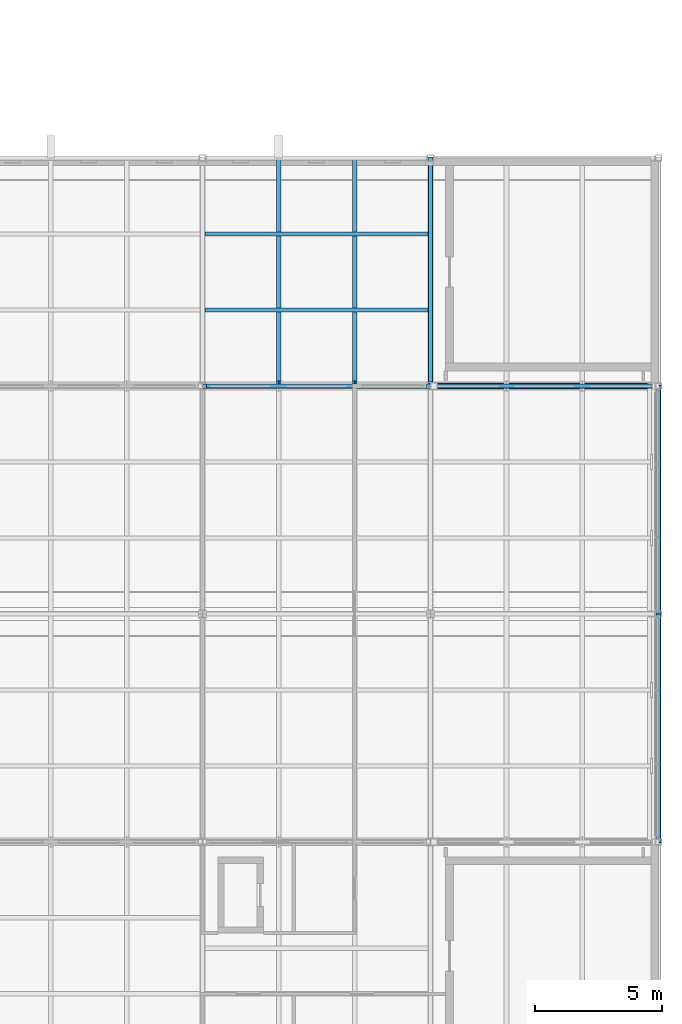
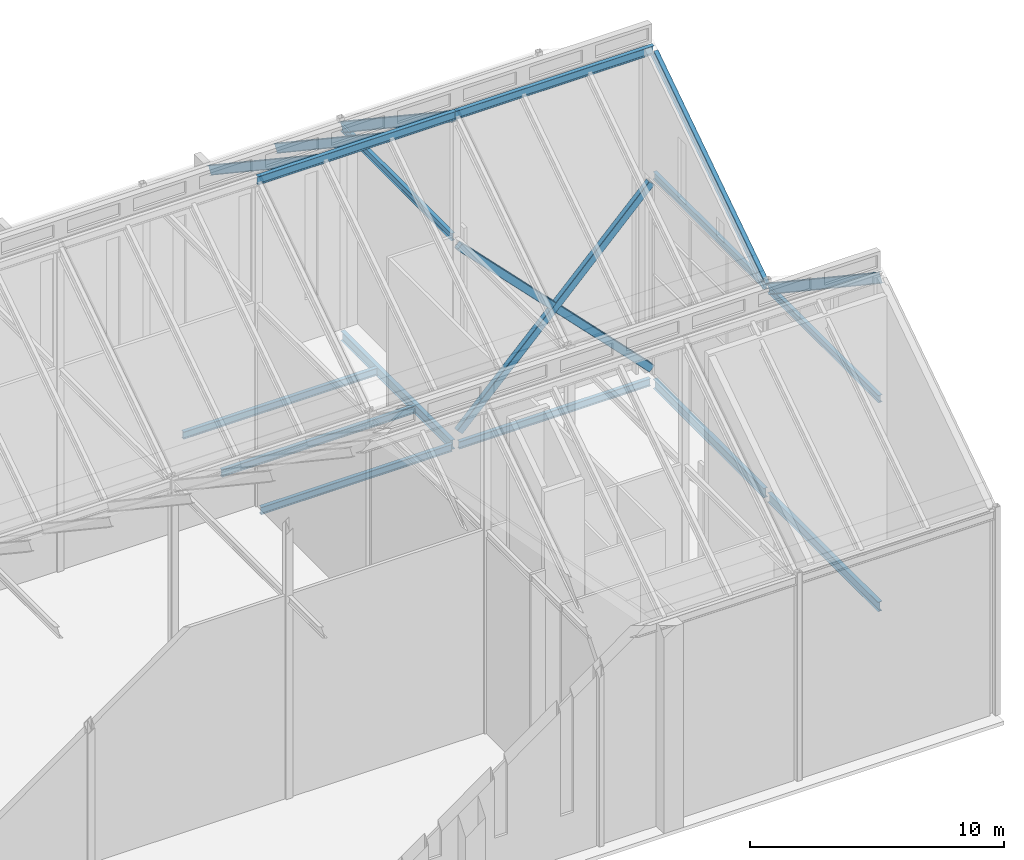
# One storey, part 78 of 111: 12 beams, 7 members.
"""IFC4 building model written with IfcOpenShell, lengths in metres."""

from ifc_helpers import new_model, si_unit, direction, frame, origin, origin_2d, place, context, subcontext, project, spatial, hollow_rectangle, i_section, extrude, material, material_profile, profile_set, type_object, element, save


model = new_model("IFC4")

# Units and contexts
model_context = context("Model", 3, precision=1e-05, world=origin(), true_north=direction((0.0, 1.0)))
body_context = subcontext(model_context, "Body", "Model", "MODEL_VIEW")
ifc_project = project(units=[si_unit("LENGTHUNIT", "METRE"), si_unit("AREAUNIT", "SQUARE_METRE"), si_unit("VOLUMEUNIT", "CUBIC_METRE"), si_unit("PLANEANGLEUNIT", "RADIAN"), si_unit("MASSUNIT", "GRAM", prefix="KILO")], contexts=[model_context])

# Site, building, storey
site_placement = place(None, origin())
site = spatial("IfcSite", under=ifc_project, at=site_placement, CompositionType="ELEMENT")
building_placement = place(site_placement, origin())
building = spatial("IfcBuilding", under=site, at=building_placement, Name="Shorebreak Coast Museum", CompositionType="ELEMENT")
storey_placement = place(building_placement, frame((0.0, 0.0, 16.0)))
storey = spatial("IfcBuildingStorey", under=building, at=storey_placement, Name="L03", CompositionType="ELEMENT", Elevation=16.0)

# Beams
ifc_material_1 = material(Name="Steel Grade 300", Category="steel")
ifc_material_profile_1 = material_profile(ifc_material_1, i_section(OverallWidth=0.1708984375, OverallDepth=0.355712890625, WebThickness=0.00732421875, FlangeThickness=0.011474609375, FilletRadius=0.011474609375, at=origin_2d()), Name="360UB50.7")
ifc_profile_set_1 = profile_set([ifc_material_profile_1], Name="Steel Grade 300")
beam_type_1 = type_object("IfcBeamType", Name="Floor girder east-west 360UB50.7", PredefinedType="BEAM", material=ifc_profile_set_1)
beam_1_placement = place(storey_placement, frame((153.153564453125, 81.0, -0.352783203125), z_axis=(1.0, 0.0, 0.0), x_axis=(0.0, 1.0, 0.0)))
element("IfcBeam", 1, at=beam_1_placement, inside=storey, type_object=beam_type_1, Name="Floor girder east-west L03 18K", PredefinedType="BEAM", context=body_context, shape_type="SweptSolid", body=[
    extrude(i_section(OverallWidth=0.1708984375, OverallDepth=0.355712890625, WebThickness=0.00732421875, FlangeThickness=0.011474609375, FilletRadius=0.011474609375, at=origin_2d()), origin(), (0.0, 0.0, 1.0), 8.69287109375),
])
beam_2_placement = place(storey_placement, frame((162.153564453125, 81.0, -0.352783203125), z_axis=(1.0, 0.0, 0.0), x_axis=(0.0, 1.0, 0.0)))
element("IfcBeam", 2, at=beam_2_placement, inside=storey, type_object=beam_type_1, Name="Floor girder east-west L03 19K", PredefinedType="BEAM", context=body_context, shape_type="SweptSolid", body=[
    extrude(i_section(OverallWidth=0.1708984375, OverallDepth=0.355712890625, WebThickness=0.00732421875, FlangeThickness=0.011474609375, FilletRadius=0.011474609375, at=origin_2d()), origin(), (0.0, 0.0, 1.0), 8.696533203125),
])
ifc_material_2 = material(Name="Steel Grade 300", Category="steel")
ifc_material_profile_2 = material_profile(ifc_material_2, i_section(OverallWidth=0.18994140625, OverallDepth=0.453857421875, WebThickness=0.008544921875, FlangeThickness=0.0126953125, FilletRadius=0.011474609375, at=origin_2d()), Name="460UB67.1")
ifc_profile_set_2 = profile_set([ifc_material_profile_2], Name="Steel Grade 300")
beam_type_2 = type_object("IfcBeamType", Name="Floor girder north-south 460UB67.1", PredefinedType="BEAM", material=ifc_profile_set_2)
for number, where, z_axis, x_axis, name in (
    (3, (171.0, 63.14990234375, -0.40185546875), (0.0, 1.0, 0.0), (-1.0, 0.0, 0.0), "Floor girder north-south L03 20H"),
    (4, (171.0, 72.14990234375, -0.40185546875), (0.0, 1.0, 0.0), (-1.0, 0.0, 0.0), "Floor girder north-south L03 20J"),
):
    element("IfcBeam", number, at=place(storey_placement, frame(where, z_axis=z_axis, x_axis=x_axis)), inside=storey, type_object=beam_type_2, Name=name, PredefinedType="BEAM", context=body_context, shape_type="SweptSolid", body=[
        extrude(i_section(OverallWidth=0.18994140625, OverallDepth=0.453857421875, WebThickness=0.008544921875, FlangeThickness=0.0126953125, FilletRadius=0.011474609375, at=origin_2d()), origin(), (0.0, 0.0, 1.0), 8.7001953125),
    ])
beam_3_placement = place(storey_placement, frame((162.0, 81.1572265625, -0.40185546875), z_axis=(0.0, 1.0, 0.0), x_axis=(-1.0, 0.0, 0.0)))
element("IfcBeam", 5, at=beam_3_placement, inside=storey, type_object=beam_type_2, Name="Floor girder north-south L03 19K", PredefinedType="BEAM", context=body_context, shape_type="SweptSolid", body=[
    extrude(i_section(OverallWidth=0.18994140625, OverallDepth=0.453857421875, WebThickness=0.008544921875, FlangeThickness=0.0126953125, FilletRadius=0.011474609375, at=origin_2d()), origin(), (0.0, 0.0, 1.0), 8.69287109375),
])
ifc_material_3 = material(Name="Steel Grade 300", Category="steel")
ifc_material_profile_3 = material_profile(ifc_material_3, i_section(OverallWidth=0.1708984375, OverallDepth=0.35205078125, WebThickness=0.0068359375, FlangeThickness=0.009765625, FilletRadius=0.011474609375, at=origin_2d()), Name="360UB44.7")
ifc_profile_set_3 = profile_set([ifc_material_profile_3], Name="Steel Grade 300")
beam_type_3 = type_object("IfcBeamType", Name="Floor joist 360UB44.7", PredefinedType="JOIST", material=ifc_profile_set_3)
for number, where, z_axis, x_axis, name in (
    (6, (153.094970703125, 84.0, -0.35107421875), (1.0, 0.0, 0.0), (0.0, 1.0, 0.0), "Floor joist L03 bay 18K at 3000 mm"),
    (7, (153.094970703125, 87.0, -0.35107421875), (1.0, 0.0, 0.0), (0.0, 1.0, 0.0), "Floor joist L03 bay 18K at 6000 mm"),
):
    element("IfcBeam", number, at=place(storey_placement, frame(where, z_axis=z_axis, x_axis=x_axis)), inside=storey, type_object=beam_type_3, Name=name, PredefinedType="JOIST", context=body_context, shape_type="SweptSolid", body=[
        extrude(i_section(OverallWidth=0.1708984375, OverallDepth=0.35205078125, WebThickness=0.0068359375, FlangeThickness=0.009765625, FilletRadius=0.011474609375, at=origin_2d()), origin(), (0.0, 0.0, 1.0), 8.81005859375),
    ])

# Members
ifc_material_4 = material(Name="Steel Grade 300", Category="steel")
ifc_material_profile_4 = material_profile(ifc_material_4, i_section(OverallWidth=0.177978515625, OverallDepth=0.402587890625, WebThickness=0.007568359375, FlangeThickness=0.010986328125, FilletRadius=0.011474609375, at=origin_2d()), Name="410UB53.7")
ifc_profile_set_4 = profile_set([ifc_material_profile_4], Name="Steel Grade 300")
member_type_1 = type_object("IfcMemberType", Name="Fold rafter 410UB53.7", PredefinedType="RAFTER", material=ifc_profile_set_4)
for number, where, z_axis, x_axis, name in (
    (8, (156.0, 81.089111328125, 15.458251953125), (0.0, 0.832043209162, -0.554710823842), (-1.0, 0.0, 0.0), "Fold rafter FOLD-E line 4 14"),
    (9, (159.0, 81.089111328125, 15.458251953125), (0.0, 0.832043209162, -0.554710823842), (-1.0, 0.0, 0.0), "Fold rafter FOLD-E line 4 15"),
):
    element("IfcMember", number, at=place(storey_placement, frame(where, z_axis=z_axis, x_axis=x_axis)), inside=storey, type_object=member_type_1, Name=name, PredefinedType="RAFTER", context=body_context, shape_type="SweptSolid", body=[
        extrude(i_section(OverallWidth=0.177978515625, OverallDepth=0.402587890625, WebThickness=0.007568359375, FlangeThickness=0.010986328125, FilletRadius=0.011474609375, at=origin_2d()), origin(), (0.0, 0.0, 1.0), 10.6025390625),
    ])
ifc_material_5 = material(Name="Steel Grade 300", Category="steel")
ifc_material_profile_5 = material_profile(ifc_material_5, i_section(OverallWidth=0.18994140625, OverallDepth=0.453857421875, WebThickness=0.008544921875, FlangeThickness=0.0126953125, FilletRadius=0.011474609375, at=origin_2d()), Name="460UB67.1")
ifc_profile_set_5 = profile_set([ifc_material_profile_5], Name="Steel Grade 300")
member_type_2 = type_object("IfcMemberType", Name="Fold rib rafter 460UB67.1", PredefinedType="RAFTER", material=ifc_profile_set_5)
for number, where, z_axis, x_axis, name in (
    (10, (171.0, 63.089111328125, 15.427490234375), (0.0, 0.832043209162, -0.554710823842), (-1.0, 0.0, 0.0), "Fold rib rafter FOLD-E line 2 19"),
    (11, (171.0, 80.910888671875, 15.427490234375), (0.0, -0.832043209162, -0.554710823842), (1.0, 0.0, 0.0), "Fold rib rafter FOLD-E line 3 19"),
    (12, (162.0, 81.089111328125, 15.427490234375), (0.0, 0.832043209162, -0.554710823842), (-1.0, 0.0, 0.0), "Fold rib rafter FOLD-E line 4 16"),
):
    element("IfcMember", number, at=place(storey_placement, frame(where, z_axis=z_axis, x_axis=x_axis)), inside=storey, type_object=member_type_2, Name=name, PredefinedType="RAFTER", context=body_context, shape_type="SweptSolid", body=[
        extrude(i_section(OverallWidth=0.18994140625, OverallDepth=0.453857421875, WebThickness=0.008544921875, FlangeThickness=0.0126953125, FilletRadius=0.011474609375, at=origin_2d()), origin(), (0.0, 0.0, 1.0), 10.6025390625),
    ])

# Beams
ifc_material_6 = material(Name="Steel Grade 300", Category="steel")
ifc_material_profile_6 = material_profile(ifc_material_6, i_section(OverallWidth=0.1708984375, OverallDepth=0.35205078125, WebThickness=0.0068359375, FlangeThickness=0.009765625, FilletRadius=0.011474609375, at=origin_2d()), Name="360UB44.7")
ifc_profile_set_6 = profile_set([ifc_material_profile_6], Name="Steel Grade 300")
beam_type_4 = type_object("IfcBeamType", Name="Fold rib tie 360UB44.7", PredefinedType="BEAM", material=ifc_profile_set_6)
beam_4_placement = place(storey_placement, frame((162.0, 81.154052734375, 9.58349609375), z_axis=(0.0, 1.0, 0.0), x_axis=(-1.0, 0.0, 0.0)))
element("IfcBeam", 13, at=beam_4_placement, inside=storey, type_object=beam_type_4, Name="Fold rib tie FOLD-E rib 19 K-L", PredefinedType="BEAM", context=body_context, shape_type="SweptSolid", body=[
    extrude(i_section(OverallWidth=0.1708984375, OverallDepth=0.35205078125, WebThickness=0.0068359375, FlangeThickness=0.009765625, FilletRadius=0.011474609375, at=origin_2d()), origin(), (0.0, 0.0, 1.0), 8.720947265625),
])
for number, where, z_axis, x_axis, name in (
    (14, (171.0, 63.125, 9.58349609375), (0.0, 1.0, 0.0), (-1.0, 0.0, 0.0), "Fold rib tie FOLD-E rib 20 H-J"),
    (15, (171.0, 72.125, 9.58349609375), (0.0, 1.0, 0.0), (-1.0, 0.0, 0.0), "Fold rib tie FOLD-E rib 20 J-K"),
):
    element("IfcBeam", number, at=place(storey_placement, frame(where, z_axis=z_axis, x_axis=x_axis)), inside=storey, type_object=beam_type_4, Name=name, PredefinedType="BEAM", context=body_context, shape_type="SweptSolid", body=[
        extrude(i_section(OverallWidth=0.1708984375, OverallDepth=0.35205078125, WebThickness=0.0068359375, FlangeThickness=0.009765625, FilletRadius=0.011474609375, at=origin_2d()), origin(), (0.0, 0.0, 1.0), 8.75),
    ])
ifc_material_7 = material(Name="Steel Grade 300", Category="steel")
ifc_material_profile_7 = material_profile(ifc_material_7, i_section(OverallWidth=0.177978515625, OverallDepth=0.406494140625, WebThickness=0.0078125, FlangeThickness=0.0126953125, FilletRadius=0.011474609375, at=origin_2d()), Name="410UB59.7")
ifc_profile_set_7 = profile_set([ifc_material_profile_7], Name="Steel Grade 300")
beam_type_5 = type_object("IfcBeamType", Name="Fold ridge beam 410UB59.7", PredefinedType="BEAM", material=ifc_profile_set_7)
for number, where, z_axis, x_axis, name in (
    (16, (153.0, 81.0, 15.556396484375), (1.0, 0.0, 0.0), (0.0, 1.0, 0.0), "Fold ridge beam FOLD-E line K bay 18K"),
    (17, (162.0, 81.0, 15.556396484375), (1.0, 0.0, 0.0), (0.0, 1.0, 0.0), "Fold ridge beam FOLD-E line K bay 19K"),
):
    element("IfcBeam", number, at=place(storey_placement, frame(where, z_axis=z_axis, x_axis=x_axis)), inside=storey, type_object=beam_type_5, Name=name, PredefinedType="BEAM", context=body_context, shape_type="SweptSolid", body=[
        extrude(i_section(OverallWidth=0.177978515625, OverallDepth=0.406494140625, WebThickness=0.0078125, FlangeThickness=0.0126953125, FilletRadius=0.011474609375, at=origin_2d()), origin(), (0.0, 0.0, 1.0), 9.0),
    ])

# Members
ifc_material_8 = material(Name="Steel Grade C450L0", Category="steel")
ifc_material_profile_8 = material_profile(ifc_material_8, hollow_rectangle(XDim=0.25, YDim=0.35009765625, WallThickness=0.012451171875, InnerFilletRadius=0.018798828125, OuterFilletRadius=0.03125, at=origin_2d()), Name="350x250x12.5 RHS")
ifc_profile_set_8 = profile_set([ifc_material_profile_8], Name="Steel Grade C450L0")
member_type_3 = type_object("IfcMemberType", Name="X-brace 350x250x12.5 RHS", PredefinedType="BRACE", material=ifc_profile_set_8)
for number, where, z_axis, x_axis, name in (
    (18, (162.152587890625, 81.0, 0.300048828125), (0.699547942219, 0.0, 0.714585667738), (0.0, 1.0, 0.0), "X-brace bay 08 L03 diagonal 1"),
    (19, (170.875, 81.0, 0.300048828125), (-0.699547942219, 0.0, 0.714585667738), (0.0, -1.0, 0.0), "X-brace bay 08 L03 diagonal 2"),
):
    element("IfcMember", number, at=place(storey_placement, frame(where, z_axis=z_axis, x_axis=x_axis)), inside=storey, type_object=member_type_3, Name=name, PredefinedType="BRACE", context=body_context, shape_type="SweptSolid", body=[
        extrude(hollow_rectangle(XDim=0.25, YDim=0.35009765625, WallThickness=0.012451171875, InnerFilletRadius=0.018798828125, OuterFilletRadius=0.03125, at=origin_2d()), origin(), (0.0, 0.0, 1.0), 12.46875),
    ])

save(model, "model.ifc")
